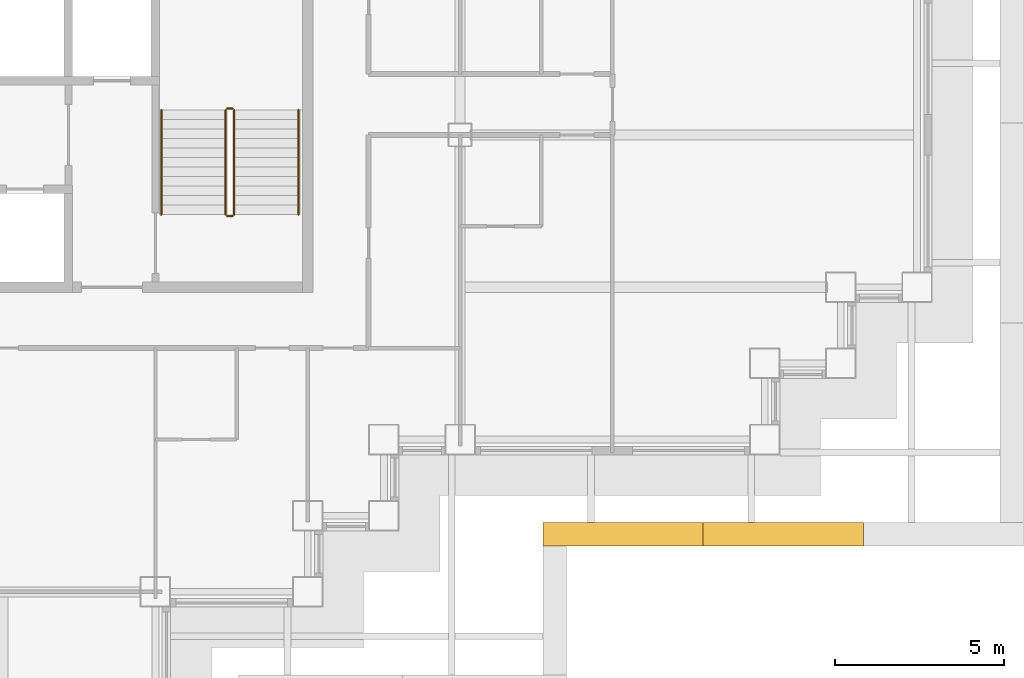
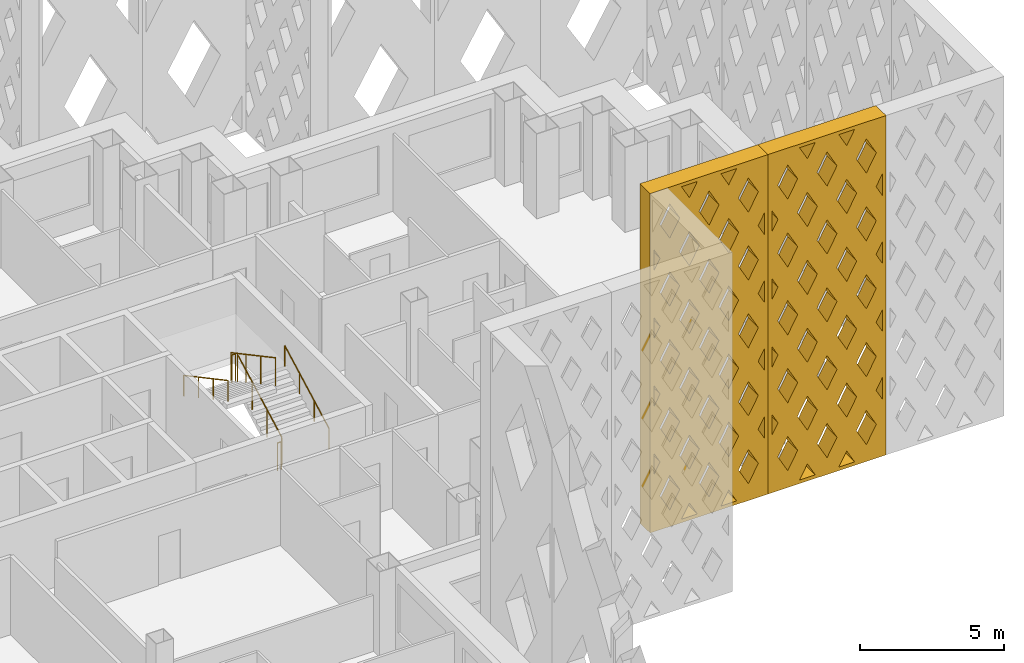
# One storey, part 16 of 21: 6 railings, 2 shading devices.
"""IFC4 building model written with IfcOpenShell, lengths in metres."""

from ifc_helpers import new_model, si_unit, direction, frame, origin, origin_2d, place, context, subcontext, project, spatial, polyline, circle, outline, extrude, material, type_object, element, save


model = new_model("IFC4")

# Units and contexts
model_context = context("Model", 3, precision=1e-05, world=origin(), true_north=direction((0.0, 1.0)))
body_context = subcontext(model_context, "Body", "Model", "MODEL_VIEW")
ifc_project = project(units=[si_unit("LENGTHUNIT", "METRE"), si_unit("AREAUNIT", "SQUARE_METRE"), si_unit("VOLUMEUNIT", "CUBIC_METRE"), si_unit("PLANEANGLEUNIT", "RADIAN"), si_unit("MASSUNIT", "GRAM", prefix="KILO")], contexts=[model_context])

# Site, building, storey
site_placement = place(None, origin())
site = spatial("IfcSite", under=ifc_project, at=site_placement, CompositionType="ELEMENT")
building_placement = place(site_placement, origin())
building = spatial("IfcBuilding", under=site, at=building_placement, Name="Caravel Reach Hotel and Residences", CompositionType="ELEMENT")
storey_placement = place(building_placement, frame((0.0, 0.0, 115.199951171875)))
storey = spatial("IfcBuildingStorey", under=building, at=storey_placement, Name="L28", CompositionType="ELEMENT", Elevation=115.199951171875)

# Shading devices
ifc_material_1 = material(Name="Black powder-coated aluminium", Category="aluminium")
shading_device_type = type_object("IfcShadingDeviceType", Name="Diamond lattice screen panel 4733 x 14400", PredefinedType="USERDEFINED", material=ifc_material_1)
shading_device_1_placement = place(storey_placement, frame((51.949951171875, 15.550048828125, 0.0), z_axis=(0.0, -1.0, 0.0), x_axis=(1.0, 0.0, 0.0)))
element("IfcShadingDevice", 1, at=shading_device_1_placement, inside=storey, type_object=shading_device_type, Name="Lattice screen L28-L31 6.1", ObjectType="SCREEN", PredefinedType="USERDEFINED", context=body_context, shape_type="SweptSolid", body=[
    extrude(outline(polyline([(0.0, 0.0), (4.7333984375, 0.0), (4.7333984375, 14.39990234375), (0.0, 14.39990234375), (0.0, 0.0)]), holes=[polyline([(0.39892578125, 2.8798828125), (0.14990234375, 3.334228515625), (0.14990234375, 2.42578125), (0.39892578125, 2.8798828125)]), polyline([(0.39892578125, 5.760009765625), (0.14990234375, 6.21435546875), (0.14990234375, 5.3056640625), (0.39892578125, 5.760009765625)]), polyline([(0.39892578125, 8.639892578125), (0.14990234375, 9.09423828125), (0.14990234375, 8.185791015625), (0.39892578125, 8.639892578125)]), polyline([(0.39892578125, 11.52001953125), (0.14990234375, 11.974365234375), (0.14990234375, 11.065673828125), (0.39892578125, 11.52001953125)]), polyline([(0.788818359375, 2.16796875), (0.39013671875, 1.43994140625), (0.788818359375, 0.7119140625), (1.187744140625, 1.43994140625), (0.788818359375, 2.16796875)]), polyline([(0.788818359375, 5.048095703125), (0.39013671875, 4.320068359375), (0.788818359375, 3.592041015625), (1.187744140625, 4.320068359375), (0.788818359375, 5.048095703125)]), polyline([(0.788818359375, 7.927978515625), (0.39013671875, 7.199951171875), (0.788818359375, 6.471923828125), (1.187744140625, 7.199951171875), (0.788818359375, 7.927978515625)]), polyline([(0.788818359375, 10.80810546875), (0.39013671875, 10.080078125), (0.788818359375, 9.35205078125), (1.187744140625, 10.080078125), (0.788818359375, 10.80810546875)]), polyline([(0.788818359375, 13.68798828125), (0.39013671875, 12.9599609375), (0.788818359375, 12.23193359375), (1.187744140625, 12.9599609375), (0.788818359375, 13.68798828125)]), polyline([(1.577880859375, 0.72802734375), (1.260986328125, 0.14990234375), (1.89453125, 0.14990234375), (1.577880859375, 0.72802734375)]), polyline([(1.577880859375, 3.608154296875), (1.178955078125, 2.8798828125), (1.577880859375, 2.15185546875), (1.9765625, 2.8798828125), (1.577880859375, 3.608154296875)]), polyline([(1.577880859375, 6.488037109375), (1.178955078125, 5.760009765625), (1.577880859375, 5.031982421875), (1.9765625, 5.760009765625), (1.577880859375, 6.488037109375)]), polyline([(1.577880859375, 9.3681640625), (1.178955078125, 8.639892578125), (1.577880859375, 7.911865234375), (1.9765625, 8.639892578125), (1.577880859375, 9.3681640625)]), polyline([(1.577880859375, 12.248046875), (1.178955078125, 11.52001953125), (1.577880859375, 10.7919921875), (1.9765625, 11.52001953125), (1.577880859375, 12.248046875)]), polyline([(1.577880859375, 13.671875), (1.89453125, 14.25), (1.260986328125, 14.25), (1.577880859375, 13.671875)]), polyline([(2.36669921875, 2.16796875), (1.9677734375, 1.43994140625), (2.36669921875, 0.7119140625), (2.765625, 1.43994140625), (2.36669921875, 2.16796875)]), polyline([(2.36669921875, 5.048095703125), (1.9677734375, 4.320068359375), (2.36669921875, 3.592041015625), (2.765625, 4.320068359375), (2.36669921875, 5.048095703125)]), polyline([(2.36669921875, 7.927978515625), (1.9677734375, 7.199951171875), (2.36669921875, 6.471923828125), (2.765625, 7.199951171875), (2.36669921875, 7.927978515625)]), polyline([(2.36669921875, 10.80810546875), (1.9677734375, 10.080078125), (2.36669921875, 9.35205078125), (2.765625, 10.080078125), (2.36669921875, 10.80810546875)]), polyline([(2.36669921875, 13.68798828125), (1.9677734375, 12.9599609375), (2.36669921875, 12.23193359375), (2.765625, 12.9599609375), (2.36669921875, 13.68798828125)]), polyline([(3.155517578125, 0.72802734375), (2.8388671875, 0.14990234375), (3.47216796875, 0.14990234375), (3.155517578125, 0.72802734375)]), polyline([(3.155517578125, 3.608154296875), (2.756591796875, 2.8798828125), (3.155517578125, 2.15185546875), (3.554443359375, 2.8798828125), (3.155517578125, 3.608154296875)]), polyline([(3.155517578125, 6.488037109375), (2.756591796875, 5.760009765625), (3.155517578125, 5.031982421875), (3.554443359375, 5.760009765625), (3.155517578125, 6.488037109375)]), polyline([(3.155517578125, 9.3681640625), (2.756591796875, 8.639892578125), (3.155517578125, 7.911865234375), (3.554443359375, 8.639892578125), (3.155517578125, 9.3681640625)]), polyline([(3.155517578125, 12.248046875), (2.756591796875, 11.52001953125), (3.155517578125, 10.7919921875), (3.554443359375, 11.52001953125), (3.155517578125, 12.248046875)]), polyline([(3.155517578125, 13.671875), (3.47216796875, 14.25), (2.8388671875, 14.25), (3.155517578125, 13.671875)]), polyline([(3.9443359375, 2.16796875), (3.545654296875, 1.43994140625), (3.9443359375, 0.7119140625), (4.34326171875, 1.43994140625), (3.9443359375, 2.16796875)]), polyline([(3.9443359375, 5.048095703125), (3.545654296875, 4.320068359375), (3.9443359375, 3.592041015625), (4.34326171875, 4.320068359375), (3.9443359375, 5.048095703125)]), polyline([(3.9443359375, 7.927978515625), (3.545654296875, 7.199951171875), (3.9443359375, 6.471923828125), (4.34326171875, 7.199951171875), (3.9443359375, 7.927978515625)]), polyline([(3.9443359375, 10.80810546875), (3.545654296875, 10.080078125), (3.9443359375, 9.35205078125), (4.34326171875, 10.080078125), (3.9443359375, 10.80810546875)]), polyline([(3.9443359375, 13.68798828125), (3.545654296875, 12.9599609375), (3.9443359375, 12.23193359375), (4.34326171875, 12.9599609375), (3.9443359375, 13.68798828125)]), polyline([(4.33447265625, 2.8798828125), (4.583251953125, 2.42578125), (4.583251953125, 3.334228515625), (4.33447265625, 2.8798828125)]), polyline([(4.33447265625, 5.760009765625), (4.583251953125, 5.3056640625), (4.583251953125, 6.21435546875), (4.33447265625, 5.760009765625)]), polyline([(4.33447265625, 8.639892578125), (4.583251953125, 8.185791015625), (4.583251953125, 9.09423828125), (4.33447265625, 8.639892578125)]), polyline([(4.33447265625, 11.52001953125), (4.583251953125, 11.065673828125), (4.583251953125, 11.974365234375), (4.33447265625, 11.52001953125)])]), origin(), (0.0, 0.0, 1.0), 0.699951171875),
])
shading_device_2_placement = place(storey_placement, frame((56.683349609375, 15.550048828125, 0.0), z_axis=(0.0, -1.0, 0.0), x_axis=(1.0, 0.0, 0.0)))
element("IfcShadingDevice", 2, at=shading_device_2_placement, inside=storey, type_object=shading_device_type, Name="Lattice screen L28-L31 6.2", ObjectType="SCREEN", PredefinedType="USERDEFINED", context=body_context, shape_type="SweptSolid", body=[
    extrude(outline(polyline([(0.0, 0.0), (4.7333984375, 0.0), (4.7333984375, 14.39990234375), (0.0, 14.39990234375), (0.0, 0.0)]), holes=[polyline([(0.39892578125, 2.8798828125), (0.14990234375, 3.334228515625), (0.14990234375, 2.42578125), (0.39892578125, 2.8798828125)]), polyline([(0.39892578125, 5.760009765625), (0.14990234375, 6.21435546875), (0.14990234375, 5.3056640625), (0.39892578125, 5.760009765625)]), polyline([(0.39892578125, 8.639892578125), (0.14990234375, 9.09423828125), (0.14990234375, 8.185791015625), (0.39892578125, 8.639892578125)]), polyline([(0.39892578125, 11.52001953125), (0.14990234375, 11.974365234375), (0.14990234375, 11.065673828125), (0.39892578125, 11.52001953125)]), polyline([(0.788818359375, 2.16796875), (0.39013671875, 1.43994140625), (0.788818359375, 0.7119140625), (1.187744140625, 1.43994140625), (0.788818359375, 2.16796875)]), polyline([(0.788818359375, 5.048095703125), (0.39013671875, 4.320068359375), (0.788818359375, 3.592041015625), (1.187744140625, 4.320068359375), (0.788818359375, 5.048095703125)]), polyline([(0.788818359375, 7.927978515625), (0.39013671875, 7.199951171875), (0.788818359375, 6.471923828125), (1.187744140625, 7.199951171875), (0.788818359375, 7.927978515625)]), polyline([(0.788818359375, 10.80810546875), (0.39013671875, 10.080078125), (0.788818359375, 9.35205078125), (1.187744140625, 10.080078125), (0.788818359375, 10.80810546875)]), polyline([(0.788818359375, 13.68798828125), (0.39013671875, 12.9599609375), (0.788818359375, 12.23193359375), (1.187744140625, 12.9599609375), (0.788818359375, 13.68798828125)]), polyline([(1.577880859375, 0.72802734375), (1.260986328125, 0.14990234375), (1.89453125, 0.14990234375), (1.577880859375, 0.72802734375)]), polyline([(1.577880859375, 3.608154296875), (1.178955078125, 2.8798828125), (1.577880859375, 2.15185546875), (1.9765625, 2.8798828125), (1.577880859375, 3.608154296875)]), polyline([(1.577880859375, 6.488037109375), (1.178955078125, 5.760009765625), (1.577880859375, 5.031982421875), (1.9765625, 5.760009765625), (1.577880859375, 6.488037109375)]), polyline([(1.577880859375, 9.3681640625), (1.178955078125, 8.639892578125), (1.577880859375, 7.911865234375), (1.9765625, 8.639892578125), (1.577880859375, 9.3681640625)]), polyline([(1.577880859375, 12.248046875), (1.178955078125, 11.52001953125), (1.577880859375, 10.7919921875), (1.9765625, 11.52001953125), (1.577880859375, 12.248046875)]), polyline([(1.577880859375, 13.671875), (1.89453125, 14.25), (1.260986328125, 14.25), (1.577880859375, 13.671875)]), polyline([(2.36669921875, 2.16796875), (1.9677734375, 1.43994140625), (2.36669921875, 0.7119140625), (2.765625, 1.43994140625), (2.36669921875, 2.16796875)]), polyline([(2.36669921875, 5.048095703125), (1.9677734375, 4.320068359375), (2.36669921875, 3.592041015625), (2.765625, 4.320068359375), (2.36669921875, 5.048095703125)]), polyline([(2.36669921875, 7.927978515625), (1.9677734375, 7.199951171875), (2.36669921875, 6.471923828125), (2.765625, 7.199951171875), (2.36669921875, 7.927978515625)]), polyline([(2.36669921875, 10.80810546875), (1.9677734375, 10.080078125), (2.36669921875, 9.35205078125), (2.765625, 10.080078125), (2.36669921875, 10.80810546875)]), polyline([(2.36669921875, 13.68798828125), (1.9677734375, 12.9599609375), (2.36669921875, 12.23193359375), (2.765625, 12.9599609375), (2.36669921875, 13.68798828125)]), polyline([(3.155517578125, 0.72802734375), (2.8388671875, 0.14990234375), (3.47216796875, 0.14990234375), (3.155517578125, 0.72802734375)]), polyline([(3.155517578125, 3.608154296875), (2.756591796875, 2.8798828125), (3.155517578125, 2.15185546875), (3.554443359375, 2.8798828125), (3.155517578125, 3.608154296875)]), polyline([(3.155517578125, 6.488037109375), (2.756591796875, 5.760009765625), (3.155517578125, 5.031982421875), (3.554443359375, 5.760009765625), (3.155517578125, 6.488037109375)]), polyline([(3.155517578125, 9.3681640625), (2.756591796875, 8.639892578125), (3.155517578125, 7.911865234375), (3.554443359375, 8.639892578125), (3.155517578125, 9.3681640625)]), polyline([(3.155517578125, 12.248046875), (2.756591796875, 11.52001953125), (3.155517578125, 10.7919921875), (3.554443359375, 11.52001953125), (3.155517578125, 12.248046875)]), polyline([(3.155517578125, 13.671875), (3.47216796875, 14.25), (2.8388671875, 14.25), (3.155517578125, 13.671875)]), polyline([(3.9443359375, 2.16796875), (3.545654296875, 1.43994140625), (3.9443359375, 0.7119140625), (4.34326171875, 1.43994140625), (3.9443359375, 2.16796875)]), polyline([(3.9443359375, 5.048095703125), (3.545654296875, 4.320068359375), (3.9443359375, 3.592041015625), (4.34326171875, 4.320068359375), (3.9443359375, 5.048095703125)]), polyline([(3.9443359375, 7.927978515625), (3.545654296875, 7.199951171875), (3.9443359375, 6.471923828125), (4.34326171875, 7.199951171875), (3.9443359375, 7.927978515625)]), polyline([(3.9443359375, 10.80810546875), (3.545654296875, 10.080078125), (3.9443359375, 9.35205078125), (4.34326171875, 10.080078125), (3.9443359375, 10.80810546875)]), polyline([(3.9443359375, 13.68798828125), (3.545654296875, 12.9599609375), (3.9443359375, 12.23193359375), (4.34326171875, 12.9599609375), (3.9443359375, 13.68798828125)]), polyline([(4.33447265625, 2.8798828125), (4.583251953125, 2.42578125), (4.583251953125, 3.334228515625), (4.33447265625, 2.8798828125)]), polyline([(4.33447265625, 5.760009765625), (4.583251953125, 5.3056640625), (4.583251953125, 6.21435546875), (4.33447265625, 5.760009765625)]), polyline([(4.33447265625, 8.639892578125), (4.583251953125, 8.185791015625), (4.583251953125, 9.09423828125), (4.33447265625, 8.639892578125)]), polyline([(4.33447265625, 11.52001953125), (4.583251953125, 11.065673828125), (4.583251953125, 11.974365234375), (4.33447265625, 11.52001953125)])]), origin(), (0.0, 0.0, 1.0), 0.699951171875),
])

# Railings
ifc_material_2 = material(Name="Steel balustrade with glass infill", Category="steel")
railing_type_1 = type_object("IfcRailingType", Name="Guard 1200", PredefinedType="GUARDRAIL", material=ifc_material_2)
railing_1_placement = place(storey_placement, frame((42.824951171875, 24.64990234375, 0.150146484375)))
element("IfcRailing", 3, at=railing_1_placement, inside=storey, type_object=railing_type_1, Name="L28 ST-B stair guard 1", PredefinedType="GUARDRAIL", context=body_context, shape_type="SweptSolid", body=[
    extrude(circle(Radius=0.02392578125, at=origin_2d()), frame((0.0, 0.0, 1.17578125), z_axis=(0.0, 0.881496589024, 0.472190389079), x_axis=(-1.0, 0.0, 0.0)), (0.0, 0.0, 1.0), 3.494140625),
    extrude(circle(Radius=0.02099609375, at=origin_2d()), origin(), (0.0, 0.0, 1.0), 1.15185546875),
    extrude(circle(Radius=0.02099609375, at=origin_2d()), frame((0.0, 1.026611328125, 0.550048828125)), (0.0, 0.0, 1.0), 1.15185546875),
    extrude(circle(Radius=0.02099609375, at=origin_2d()), frame((0.0, 2.053466796875, 1.099853515625)), (0.0, 0.0, 1.0), 1.15185546875),
    extrude(circle(Radius=0.02099609375, at=origin_2d()), frame((0.0, 3.080078125, 1.64990234375)), (0.0, 0.0, 1.0), 1.15185546875),
])
railing_2_placement = place(storey_placement, frame((42.77490234375, 27.780029296875, 1.800048828125)))
element("IfcRailing", 4, at=railing_2_placement, inside=storey, type_object=railing_type_1, Name="L28 ST-B stair guard 2", PredefinedType="GUARDRAIL", context=body_context, shape_type="SweptSolid", body=[
    extrude(circle(Radius=0.02392578125, at=origin_2d()), frame((0.0, 0.0, 1.17578125), z_axis=(-1.0, 0.0, 0.0), x_axis=(0.0, -1.0, 0.0)), (0.0, 0.0, 1.0), 0.14990234375),
    extrude(circle(Radius=0.02099609375, at=origin_2d()), origin(), (0.0, 0.0, 1.0), 1.15185546875),
    extrude(circle(Radius=0.02099609375, at=origin_2d()), frame((-0.14990234375, 0.0, 0.0)), (0.0, 0.0, 1.0), 1.15185546875),
])
railing_3_placement = place(storey_placement, frame((42.574951171875, 27.72998046875, 1.949951171875)))
element("IfcRailing", 5, at=railing_3_placement, inside=storey, type_object=railing_type_1, Name="L28 ST-B stair guard 3", PredefinedType="GUARDRAIL", context=body_context, shape_type="SweptSolid", body=[
    extrude(circle(Radius=0.02392578125, at=origin_2d()), frame((0.0, 0.0, 1.17578125), z_axis=(0.0, -0.881467505477, 0.472244678941), x_axis=(1.0, 0.0, 0.0)), (0.0, 0.0, 1.0), 3.494140625),
    extrude(circle(Radius=0.02099609375, at=origin_2d()), origin(), (0.0, 0.0, 1.0), 1.15185546875),
    extrude(circle(Radius=0.02099609375, at=origin_2d()), frame((0.0, -1.026611328125, 0.550048828125)), (0.0, 0.0, 1.0), 1.15185546875),
    extrude(circle(Radius=0.02099609375, at=origin_2d()), frame((0.0, -2.053466796875, 1.10009765625)), (0.0, 0.0, 1.0), 1.15185546875),
    extrude(circle(Radius=0.02099609375, at=origin_2d()), frame((0.0, -3.080078125, 1.650146484375)), (0.0, 0.0, 1.0), 1.15185546875),
])
railing_4_placement = place(storey_placement, frame((42.77490234375, 24.60009765625, 0.0)))
element("IfcRailing", 6, at=railing_4_placement, inside=storey, type_object=railing_type_1, Name="L28 ST-B stair guard 4", PredefinedType="GUARDRAIL", context=body_context, shape_type="SweptSolid", body=[
    extrude(circle(Radius=0.02392578125, at=origin_2d()), frame((0.0, 0.0, 1.17578125), z_axis=(-1.0, 0.0, 0.0), x_axis=(0.0, -1.0, 0.0)), (0.0, 0.0, 1.0), 0.14990234375),
    extrude(circle(Radius=0.02099609375, at=origin_2d()), origin(), (0.0, 0.0, 1.0), 1.15185546875),
    extrude(circle(Radius=0.02099609375, at=origin_2d()), frame((-0.14990234375, 0.0, 0.0)), (0.0, 0.0, 1.0), 1.15185546875),
])
ifc_material_3 = material(Name="Stainless steel handrail", Category="steel")
railing_type_2 = type_object("IfcRailingType", Name="Handrail 900", PredefinedType="HANDRAIL", material=ifc_material_3)
railing_5_placement = place(storey_placement, frame((44.72509765625, 24.64990234375, 0.150146484375)))
element("IfcRailing", 7, at=railing_5_placement, inside=storey, type_object=railing_type_2, Name="L28 ST-B stair handrail 1", PredefinedType="HANDRAIL", context=body_context, shape_type="SweptSolid", body=[
    extrude(circle(Radius=0.02392578125, at=origin_2d()), frame((0.0, 0.0, 0.8759765625), z_axis=(0.0, 0.881496589024, 0.472190389079), x_axis=(-1.0, 0.0, 0.0)), (0.0, 0.0, 1.0), 3.494140625),
    extrude(circle(Radius=0.02099609375, at=origin_2d()), origin(), (0.0, 0.0, 1.0), 0.851806640625),
    extrude(circle(Radius=0.02099609375, at=origin_2d()), frame((0.0, 1.026611328125, 0.550048828125)), (0.0, 0.0, 1.0), 0.851806640625),
    extrude(circle(Radius=0.02099609375, at=origin_2d()), frame((0.0, 2.053466796875, 1.099853515625)), (0.0, 0.0, 1.0), 0.851806640625),
    extrude(circle(Radius=0.02099609375, at=origin_2d()), frame((0.0, 3.080078125, 1.64990234375)), (0.0, 0.0, 1.0), 0.851806640625),
])
railing_6_placement = place(storey_placement, frame((40.675048828125, 27.72998046875, 1.949951171875)))
element("IfcRailing", 8, at=railing_6_placement, inside=storey, type_object=railing_type_2, Name="L28 ST-B stair handrail 2", PredefinedType="HANDRAIL", context=body_context, shape_type="SweptSolid", body=[
    extrude(circle(Radius=0.02392578125, at=origin_2d()), frame((0.0, 0.0, 0.8759765625), z_axis=(0.0, -0.881467505477, 0.472244678941), x_axis=(1.0, 0.0, 0.0)), (0.0, 0.0, 1.0), 3.494140625),
    extrude(circle(Radius=0.02099609375, at=origin_2d()), origin(), (0.0, 0.0, 1.0), 0.851806640625),
    extrude(circle(Radius=0.02099609375, at=origin_2d()), frame((0.0, -1.026611328125, 0.550048828125)), (0.0, 0.0, 1.0), 0.851806640625),
    extrude(circle(Radius=0.02099609375, at=origin_2d()), frame((0.0, -2.053466796875, 1.10009765625)), (0.0, 0.0, 1.0), 0.851806640625),
    extrude(circle(Radius=0.02099609375, at=origin_2d()), frame((0.0, -3.080078125, 1.650146484375)), (0.0, 0.0, 1.0), 0.851806640625),
])

save(model, "model.ifc")
